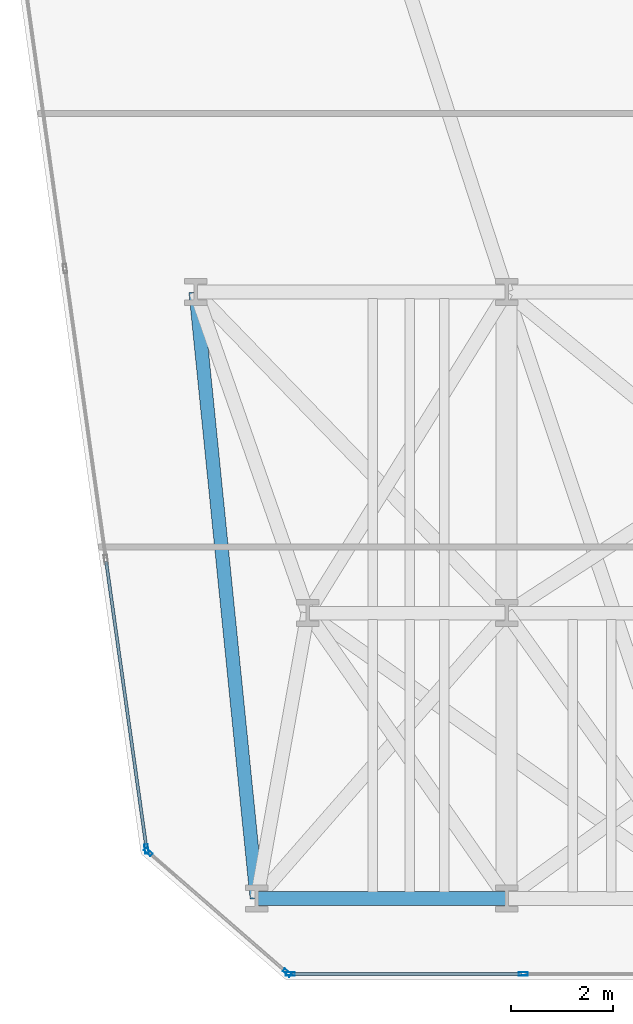
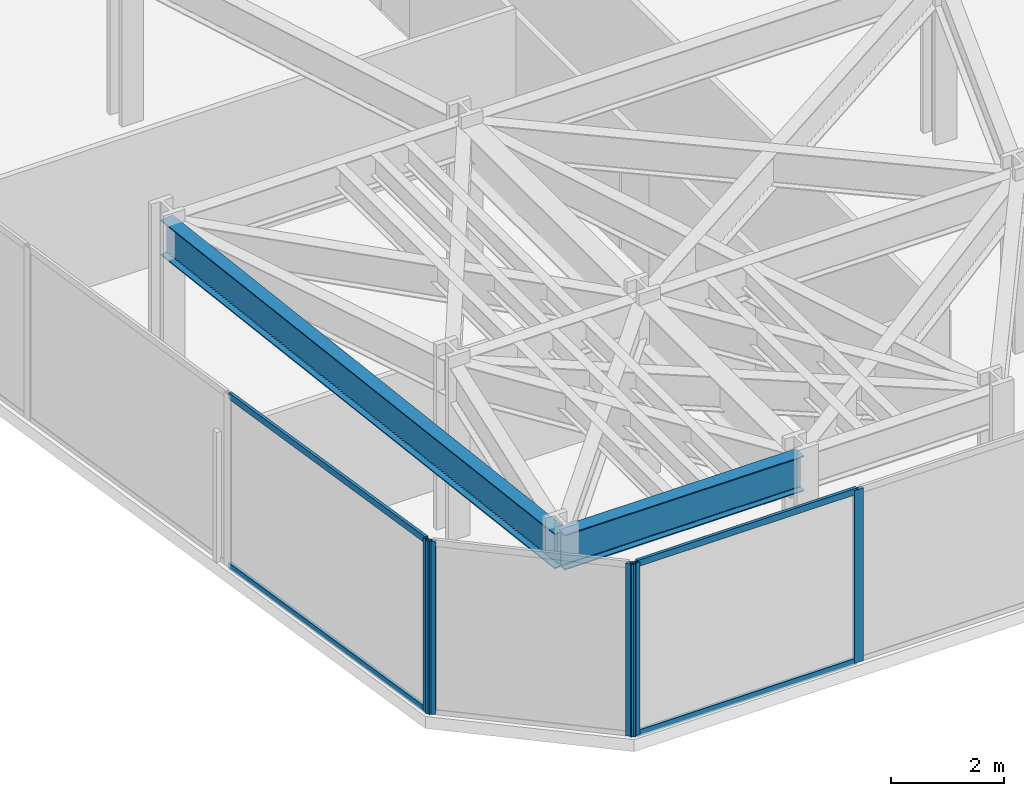
# One storey, part 2 of 25: 9 members, 2 beams, 3 elements without a shape of their own.
"""IFC4 building model written with IfcOpenShell, lengths in metres."""

import ifcopenshell
import ifcopenshell.guid

model = None  # the IFC model being written
_history = None  # IfcOwnerHistory: only IFC2X3 demands one
_inside = {}  # id of a spatial element -> (the spatial element, [elements in it])
_under = {}  # id of a project, library or spatial element -> (it, [spatial elements below it])
_declared = {}  # id of a project -> (the project, [libraries it declares])
_typed = {}  # id of a type object -> (the type object, [elements of that type])
_made_of = {}  # id of a material, layer set ... -> (it, [elements and type objects made of it])


def new_model(schema):
    """Start an empty IFC model of exactly this schema.

    Asked for "IFC4X3", IfcOpenShell would pick the latest addendum, in which some entities
    have other attributes; the version numbers below select the first issue.
    IFC2X3 requires an IfcOwnerHistory on every rooted entity: one is made here for all.
    """
    global model, _history
    if schema == "IFC4X3":
        model = ifcopenshell.file(schema_version=(4, 3, 0, 0))
    else:
        model = ifcopenshell.file(schema=schema)
    _inside.clear()
    _under.clear()
    _declared.clear()
    _typed.clear()
    _made_of.clear()
    _history = None
    if model.schema == "IFC2X3":
        org = make("IfcOrganization", Name="unknown")
        user = make(
            "IfcPersonAndOrganization",
            ThePerson=make("IfcPerson", FamilyName="unknown"),
            TheOrganization=org,
        )
        app = make(
            "IfcApplication",
            ApplicationDeveloper=org,
            Version="unknown",
            ApplicationFullName="unknown",
            ApplicationIdentifier="unknown",
        )
        _history = make(
            "IfcOwnerHistory",
            OwningUser=user,
            OwningApplication=app,
            ChangeAction="ADDED",
            CreationDate=0,
        )
    return model


def make(cls, **values):
    """One entity of the class cls with the attributes given. An attribute that is None is left unset."""
    return model.create_entity(
        cls, **{name: value for name, value in values.items() if value is not None}
    )


def rooted(cls, **values):
    """An entity with a GlobalId (a new one), such as an element, a storey or a relation."""
    return make(cls, GlobalId=ifcopenshell.guid.new(), OwnerHistory=_history, **values)


def si_unit(unit_type, name, prefix=None):
    """IfcSIUnit, for example si_unit("LENGTHUNIT", "METRE", prefix="MILLI")."""
    return make("IfcSIUnit", UnitType=unit_type, Prefix=prefix, Name=name)


def assignment(units):
    """IfcUnitAssignment: the units of a project."""
    return None if units is None else make("IfcUnitAssignment", Units=units)


def point(xyz):
    """IfcCartesianPoint."""
    return None if xyz is None else make("IfcCartesianPoint", Coordinates=xyz)


def direction(xyz):
    """IfcDirection."""
    return None if xyz is None else make("IfcDirection", DirectionRatios=xyz)


def frame(location, z_axis=None, x_axis=None):
    """IfcAxis2Placement3D, a coordinate frame: its origin and axes. An axis left out is left unset."""
    return make(
        "IfcAxis2Placement3D",
        Location=point(location),
        Axis=direction(z_axis),
        RefDirection=direction(x_axis),
    )


def frame_2d(location, x_axis=None):
    """IfcAxis2Placement2D, a coordinate frame in the plane: its origin and x axis."""
    return make(
        "IfcAxis2Placement2D", Location=point(location), RefDirection=direction(x_axis)
    )


def origin():
    """The frame at (0, 0, 0) with its axes left unset."""
    return frame((0.0, 0.0, 0.0))


def origin_2d():
    """The frame at (0, 0) in the plane with its x axis left unset."""
    return frame_2d((0.0, 0.0))


def place(relative_to, where):
    """IfcLocalPlacement: puts the frame where relative to a parent placement (None: the world)."""
    return make(
        "IfcLocalPlacement", PlacementRelTo=relative_to, RelativePlacement=where
    )


def context(
    kind, dimensions, precision=None, world=None, true_north=None, identifier=None
):
    """IfcGeometricRepresentationContext, for example the 3D "Model" context."""
    return make(
        "IfcGeometricRepresentationContext",
        ContextIdentifier=identifier,
        ContextType=kind,
        CoordinateSpaceDimension=dimensions,
        Precision=precision,
        WorldCoordinateSystem=world,
        TrueNorth=true_north,
    )


def subcontext(parent, identifier, kind, view, scale=None):
    """IfcGeometricRepresentationSubContext, for example "Body" below "Model"."""
    return make(
        "IfcGeometricRepresentationSubContext",
        ContextIdentifier=identifier,
        ContextType=kind,
        ParentContext=parent,
        TargetScale=scale,
        TargetView=view,
    )


def project(units=None, contexts=None):
    """IfcProject with its units and contexts."""
    return rooted(
        "IfcProject",
        Name="project",
        RepresentationContexts=contexts,
        UnitsInContext=assignment(units),
    )


def spatial(cls, under=None, at=None, **own):
    """A site, building, storey or space (cls), placed at a placement, below another one or the project."""
    s = rooted(cls, ObjectPlacement=at, **own)
    if under is not None:
        _under.setdefault(under.id(), (under, []))[1].append(s)
    return s


def profile(cls, at=None, kind="AREA", **sizes):
    """A parametric profile (cls). Its sizes go by their IFC names, for example OverallWidth=200.0."""
    return make(cls, ProfileType=kind, Position=at, **sizes)


def hollow_rectangle(**sizes):
    """IfcRectangleHollowProfileDef."""
    return profile("IfcRectangleHollowProfileDef", **sizes)


def i_section(**sizes):
    """IfcIShapeProfileDef."""
    return profile("IfcIShapeProfileDef", **sizes)


def extrude(swept, where, along, depth):
    """IfcExtrudedAreaSolid: the profile swept, set in the frame where, extruded along a direction by depth."""
    return make(
        "IfcExtrudedAreaSolid",
        SweptArea=swept,
        Position=where,
        ExtrudedDirection=direction(along),
        Depth=depth,
    )


def shape(context_of_items, identifier, shape_type, items):
    """IfcShapeRepresentation: the items that make up one representation, for example the "Body"."""
    return make(
        "IfcShapeRepresentation",
        ContextOfItems=context_of_items,
        RepresentationIdentifier=identifier,
        RepresentationType=shape_type,
        Items=items,
    )


def material(Name=None, Category=None):
    """IfcMaterial."""
    return make("IfcMaterial", Name=Name, Category=Category)


def layer(
    of_material, thickness, ventilated=None, Name=None, Category=None, Priority=None
):
    """IfcMaterialLayer: one layer of a wall or slab, of a material (None: an air gap)."""
    return make(
        "IfcMaterialLayer",
        Material=of_material,
        LayerThickness=thickness,
        IsVentilated=ventilated,
        Name=Name,
        Category=Category,
        Priority=Priority,
    )


def layer_set(layers, Name=None):
    """IfcMaterialLayerSet."""
    return make("IfcMaterialLayerSet", MaterialLayers=layers, LayerSetName=Name)


def material_profile(
    of_material, cross_section, Name=None, Category=None, Priority=None
):
    """IfcMaterialProfile: a cross section and its material."""
    return make(
        "IfcMaterialProfile",
        Name=Name,
        Material=of_material,
        Profile=cross_section,
        Priority=Priority,
        Category=Category,
    )


def profile_set(profiles, Name=None, composite=None):
    """IfcMaterialProfileSet."""
    return make(
        "IfcMaterialProfileSet",
        Name=Name,
        MaterialProfiles=profiles,
        CompositeProfile=composite,
    )


def made_of(thing, what):
    """Note that an element or type object is made of a material, layer set ...; save() writes the relation."""
    if what is not None:
        _made_of.setdefault(what.id(), (what, []))[1].append(thing)
    return thing


def type_object(cls, material=None, **own):
    """A type object (cls), such as IfcWallType, which elements share."""
    return made_of(rooted(cls, **own), material)


def element(
    cls,
    number,
    at=None,
    inside=None,
    cuts=None,
    type_object=None,
    material=None,
    context=None,
    identifier="Body",
    shape_type=None,
    held_by="IfcProductDefinitionShape",
    body=None,
    shapes=None,
    **own,
):
    """One element of the class cls, such as IfcWall. Its Tag is "e" and its number.

    at: its placement. inside: the storey or other place that contains it. cuts: it is an
    opening in that element (IfcRelVoidsElement). A single representation is given by context,
    identifier, shape_type and body (its items); several are given by shapes. held_by: the class
    of the entity that holds the representations. save() writes the other relations.
    """
    e = rooted(cls, Tag="e%d" % number, ObjectPlacement=at, **own)
    if body is not None:
        shapes = [shape(context, identifier, shape_type, body)]
    if shapes is not None:
        e.Representation = make(held_by, Representations=shapes)
    if inside is not None:
        _inside.setdefault(inside.id(), (inside, []))[1].append(e)
    if cuts is not None:
        rooted(
            "IfcRelVoidsElement", RelatingBuildingElement=cuts, RelatedOpeningElement=e
        )
    if type_object is not None:
        _typed.setdefault(type_object.id(), (type_object, []))[1].append(e)
    return made_of(e, material)


def aggregate(whole, parts):
    """IfcRelAggregates: a whole, such as a stair, and the parts it consists of."""
    return rooted("IfcRelAggregates", RelatingObject=whole, RelatedObjects=parts)


def save(model, path):
    """Write the relations noted so far, then the file.

    IfcRelAggregates (storeys below a building ...), IfcRelContainedInSpatialStructure (elements
    in a storey), IfcRelDefinesByType, IfcRelAssociatesMaterial and IfcRelDeclares: one each for
    every whole, place, type object, material and project.
    """
    for whole, parts in _under.values():
        aggregate(whole, parts)
    for where, things in _inside.values():
        rooted(
            "IfcRelContainedInSpatialStructure",
            RelatedElements=things,
            RelatingStructure=where,
        )
    for kind, things in _typed.values():
        rooted("IfcRelDefinesByType", RelatedObjects=things, RelatingType=kind)
    for what, things in _made_of.values():
        rooted("IfcRelAssociatesMaterial", RelatedObjects=things, RelatingMaterial=what)
    for by, libraries in _declared.values():
        rooted("IfcRelDeclares", RelatingContext=by, RelatedDefinitions=libraries)
    model.write(path)


model = new_model("IFC4")

# Units and contexts
model_context = context("Model", 3, precision=1e-05, world=origin(), true_north=direction((0.0, 1.0)))
body_context = subcontext(model_context, "Body", "Model", "MODEL_VIEW")
ifc_project = project(units=[si_unit("LENGTHUNIT", "METRE"), si_unit("AREAUNIT", "SQUARE_METRE"), si_unit("VOLUMEUNIT", "CUBIC_METRE"), si_unit("PLANEANGLEUNIT", "RADIAN"), si_unit("MASSUNIT", "GRAM", prefix="KILO")], contexts=[model_context])

# Site, building, storey
site_placement = place(None, origin())
site = spatial("IfcSite", under=ifc_project, at=site_placement, CompositionType="ELEMENT")
building_placement = place(site_placement, origin())
building = spatial("IfcBuilding", under=site, at=building_placement, Name="Kravanh Interchange Tower", CompositionType="ELEMENT")
storey_placement = place(building_placement, frame((0.0, 0.0, 33.5)))
storey = spatial("IfcBuildingStorey", under=building, at=storey_placement, Name="L07", CompositionType="ELEMENT", Elevation=33.5)

# Curtain wall, member
ifc_material_1 = material(Name="Anodised Bronze Aluminium", Category="aluminium")
ifc_layer = layer(ifc_material_1, 0.179931640625)
ifc_layer_set = layer_set([ifc_layer], Name="Unitised Curtain Wall System CW-Z1 Lower Office")
curtain_wall_type = type_object("IfcCurtainWallType", Name="Unitised Curtain Wall System CW-Z1 Lower Office", PredefinedType="NOTDEFINED", material=ifc_layer_set)
curtain_wall_1_placement = place(storey_placement, origin())
curtain_wall_1 = element("IfcCurtainWall", 1, at=curtain_wall_1_placement, inside=storey, type_object=curtain_wall_type, Name="L07 Unitised Curtain Wall CW-L07-01", PredefinedType="NOTDEFINED")
ifc_material_2 = material(Name="Anodised Bronze Aluminium", Category="aluminium")
ifc_material_profile_1 = material_profile(ifc_material_2, hollow_rectangle(XDim=0.070068359375, YDim=0.179931640625, WallThickness=0.00390625, at=origin_2d()), Name="ALU70X180X4")
ifc_profile_set_1 = profile_set([ifc_material_profile_1], Name="Anodised Bronze Aluminium")
member_type_1 = type_object("IfcMemberType", Name="Curtain Wall Mullion ALU70X180X4 Bronze", PredefinedType="MULLION", material=ifc_profile_set_1)
member_1_placement = place(storey_placement, frame((10.435546875, 3.571533203125, 0.0), z_axis=(0.0, 0.0, 1.0), x_axis=(-0.990267585682, -0.139176538065, 0.0)))
member_1 = element("IfcMember", 2, at=member_1_placement, type_object=member_type_1, Name="CW-Z1 mullion 1", PredefinedType="MULLION", context=body_context, shape_type="SweptSolid", body=[
    extrude(hollow_rectangle(XDim=0.070068359375, YDim=0.179931640625, WallThickness=0.00390625, at=origin_2d()), origin(), (0.0, 0.0, 1.0), 3.739990234375),
])

# Curtain wall, members
curtain_wall_2_placement = place(storey_placement, origin())
curtain_wall_2 = element("IfcCurtainWall", 3, at=curtain_wall_2_placement, inside=storey, type_object=curtain_wall_type, Name="L07 Unitised Curtain Wall CW-L07-06", PredefinedType="NOTDEFINED")
member_2_placement = place(storey_placement, frame((17.8271484375, 1.1201171875, 0.0), z_axis=(0.0, 0.0, 1.0), x_axis=(0.0, -1.0, 0.0)))
member_2 = element("IfcMember", 4, at=member_2_placement, type_object=member_type_1, Name="CW-Z1 mullion 2", PredefinedType="MULLION", context=body_context, shape_type="SweptSolid", body=[
    extrude(hollow_rectangle(XDim=0.070068359375, YDim=0.179931640625, WallThickness=0.00390625, at=origin_2d()), origin(), (0.0, 0.0, 1.0), 3.739990234375),
])
member_3_placement = place(storey_placement, frame((13.255615234375, 1.1201171875, 0.0), z_axis=(0.0, 0.0, 1.0), x_axis=(0.0, -1.0, 0.0)))
member_3 = element("IfcMember", 5, at=member_3_placement, type_object=member_type_1, Name="CW-Z1 mullion 3", PredefinedType="MULLION", context=body_context, shape_type="SweptSolid", body=[
    extrude(hollow_rectangle(XDim=0.070068359375, YDim=0.179931640625, WallThickness=0.00390625, at=origin_2d()), origin(), (0.0, 0.0, 1.0), 3.739990234375),
])

curtain_wall_3_placement = place(storey_placement, origin())
curtain_wall_3 = element("IfcCurtainWall", 6, at=curtain_wall_3_placement, inside=storey, type_object=curtain_wall_type, Name="L07 Unitised Curtain Wall CW-L07-07", PredefinedType="NOTDEFINED")
member_4_placement = place(storey_placement, frame((13.194091796875, 1.14306640625, 0.0), z_axis=(0.0, 0.0, 1.0), x_axis=(-0.656060422341, -0.754708368999, 0.0)))
member_4 = element("IfcMember", 7, at=member_4_placement, type_object=member_type_1, Name="CW-Z1 mullion 1", PredefinedType="MULLION", context=body_context, shape_type="SweptSolid", body=[
    extrude(hollow_rectangle(XDim=0.070068359375, YDim=0.179931640625, WallThickness=0.00390625, at=origin_2d()), origin(), (0.0, 0.0, 1.0), 3.739990234375),
])
member_5_placement = place(storey_placement, frame((10.466796875, 3.513916015625, 0.0), z_axis=(0.0, 0.0, 1.0), x_axis=(-0.656060422341, -0.754708368999, 0.0)))
member_5 = element("IfcMember", 8, at=member_5_placement, type_object=member_type_1, Name="CW-Z1 mullion 2", PredefinedType="MULLION", context=body_context, shape_type="SweptSolid", body=[
    extrude(hollow_rectangle(XDim=0.070068359375, YDim=0.179931640625, WallThickness=0.00390625, at=origin_2d()), origin(), (0.0, 0.0, 1.0), 3.739990234375),
])
aggregate(curtain_wall_3, [member_4, member_5])

# Member
ifc_material_3 = material(Name="Anodised Bronze Aluminium", Category="aluminium")
ifc_material_profile_2 = material_profile(ifc_material_3, hollow_rectangle(XDim=0.06005859375, YDim=0.139892578125, WallThickness=0.00390625, at=origin_2d()), Name="ALU60X140X4")
ifc_profile_set_2 = profile_set([ifc_material_profile_2], Name="Anodised Bronze Aluminium")
member_type_2 = type_object("IfcMemberType", Name="Curtain Wall Transom ALU60X140X4 Bronze", PredefinedType="USERDEFINED", material=ifc_profile_set_2)
member_6_placement = place(storey_placement, frame((10.4306640625, 3.606201171875, 0.030029296875), z_axis=(-0.139199330487, 0.990264382068, 0.0), x_axis=(-0.990264382068, -0.139199330487, 0.0)))
member_6 = element("IfcMember", 9, at=member_6_placement, type_object=member_type_2, Name="CW-Z1 transom 1.1", ObjectType="TRANSOM", PredefinedType="USERDEFINED", context=body_context, shape_type="SweptSolid", body=[
    extrude(hollow_rectangle(XDim=0.06005859375, YDim=0.139892578125, WallThickness=0.00390625, at=origin_2d()), origin(), (0.0, 0.0, 1.0), 5.66162109375),
])

member_7_placement = place(storey_placement, frame((10.4306640625, 3.606201171875, 3.7099609375), z_axis=(-0.139199330487, 0.990264382068, 0.0), x_axis=(-0.990264382068, -0.139199330487, 0.0)))
member_7 = element("IfcMember", 10, at=member_7_placement, type_object=member_type_2, Name="CW-Z1 transom 1.2", ObjectType="TRANSOM", PredefinedType="USERDEFINED", context=body_context, shape_type="SweptSolid", body=[
    extrude(hollow_rectangle(XDim=0.06005859375, YDim=0.139892578125, WallThickness=0.00390625, at=origin_2d()), origin(), (0.0, 0.0, 1.0), 5.66162109375),
])

aggregate(curtain_wall_1, [member_1, member_6, member_7])

member_8_placement = place(storey_placement, frame((17.792236328125, 1.1201171875, 0.030029296875), z_axis=(-1.0, 0.0, 0.0), x_axis=(0.0, -1.0, 0.0)))
member_8 = element("IfcMember", 11, at=member_8_placement, type_object=member_type_2, Name="CW-Z1 transom 2.1", ObjectType="TRANSOM", PredefinedType="USERDEFINED", context=body_context, shape_type="SweptSolid", body=[
    extrude(hollow_rectangle(XDim=0.06005859375, YDim=0.139892578125, WallThickness=0.00390625, at=origin_2d()), origin(), (0.0, 0.0, 1.0), 4.501708984375),
])

member_9_placement = place(storey_placement, frame((17.792236328125, 1.1201171875, 3.7099609375), z_axis=(-1.0, 0.0, 0.0), x_axis=(0.0, -1.0, 0.0)))
member_9 = element("IfcMember", 12, at=member_9_placement, type_object=member_type_2, Name="CW-Z1 transom 2.2", ObjectType="TRANSOM", PredefinedType="USERDEFINED", context=body_context, shape_type="SweptSolid", body=[
    extrude(hollow_rectangle(XDim=0.06005859375, YDim=0.139892578125, WallThickness=0.00390625, at=origin_2d()), origin(), (0.0, 0.0, 1.0), 4.501708984375),
])

aggregate(curtain_wall_2, [member_2, member_3, member_8, member_9])

# Beams
ifc_material_4 = material(Name="Structural Steel S355", Category="steel")
ifc_material_profile_3 = material_profile(ifc_material_4, i_section(OverallWidth=0.26708984375, OverallDepth=0.761962890625, WebThickness=0.014404296875, FlangeThickness=0.021484375, FilletRadius=0.02490234375, at=origin_2d()), Name="W30X116")
ifc_profile_set_3 = profile_set([ifc_material_profile_3], Name="Structural Steel S355")
beam_type = type_object("IfcBeamType", Name="Floor Spandrel W30X116 Structural Steel S355", PredefinedType="SPANDREL", material=ifc_profile_set_3)
beam_1_placement = place(storey_placement, frame((12.60009765625, 2.60009765625, 3.35888671875), z_axis=(1.0, 0.0, 0.0), x_axis=(0.0, 1.0, 0.0)))
element("IfcBeam", 13, at=beam_1_placement, inside=storey, type_object=beam_type, Name="L07 Perimeter Spandrel 38", PredefinedType="SPANDREL", context=body_context, shape_type="SweptSolid", body=[
    extrude(i_section(OverallWidth=0.26708984375, OverallDepth=0.761962890625, WebThickness=0.014404296875, FlangeThickness=0.021484375, FilletRadius=0.02490234375, at=origin_2d()), origin(), (0.0, 0.0, 1.0), 4.89990234375),
])
beam_2_placement = place(storey_placement, frame((12.60009765625, 2.60009765625, 3.35888671875), z_axis=(-0.100348483042, 0.994952351598, 0.0), x_axis=(-0.994952351598, -0.100348483042, 0.0)))
element("IfcBeam", 14, at=beam_2_placement, inside=storey, type_object=beam_type, Name="L07 Perimeter Spandrel 41", PredefinedType="SPANDREL", context=body_context, shape_type="SweptSolid", body=[
    extrude(i_section(OverallWidth=0.26708984375, OverallDepth=0.761962890625, WebThickness=0.014404296875, FlangeThickness=0.021484375, FilletRadius=0.02490234375, at=origin_2d()), origin(), (0.0, 0.0, 1.0), 11.960205078125),
])

save(model, "model.ifc")
